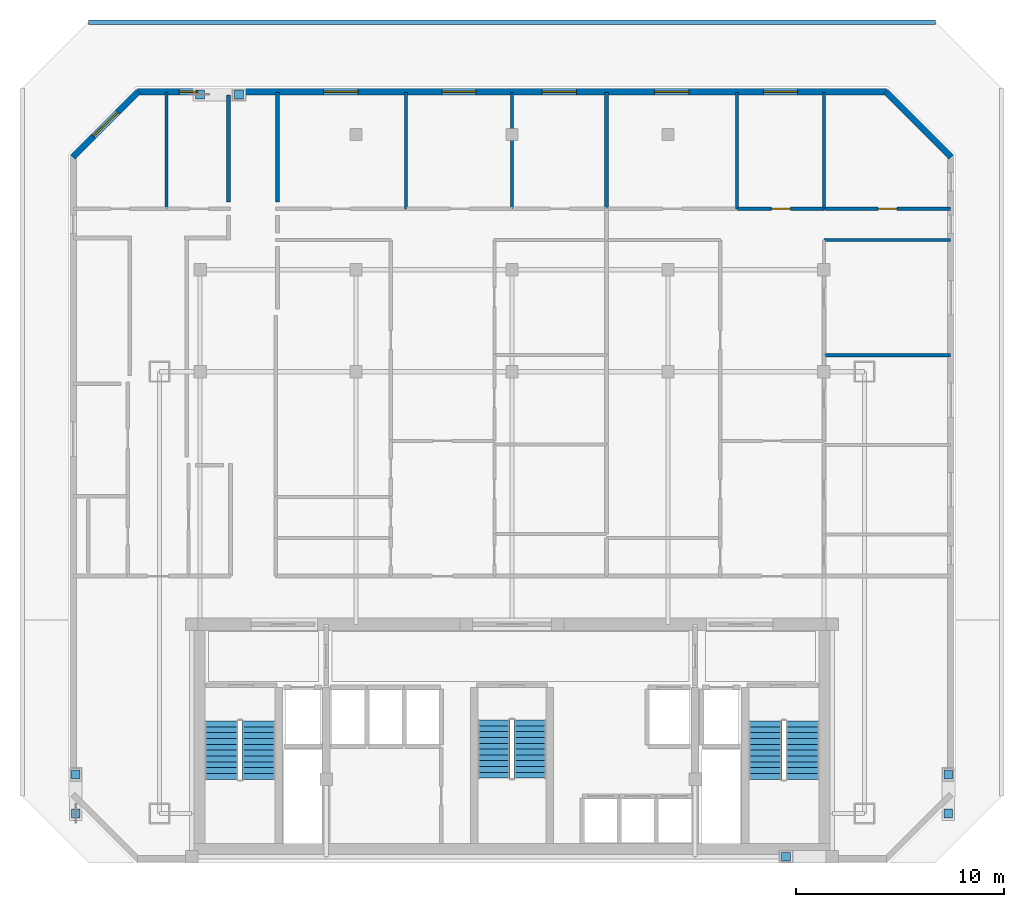
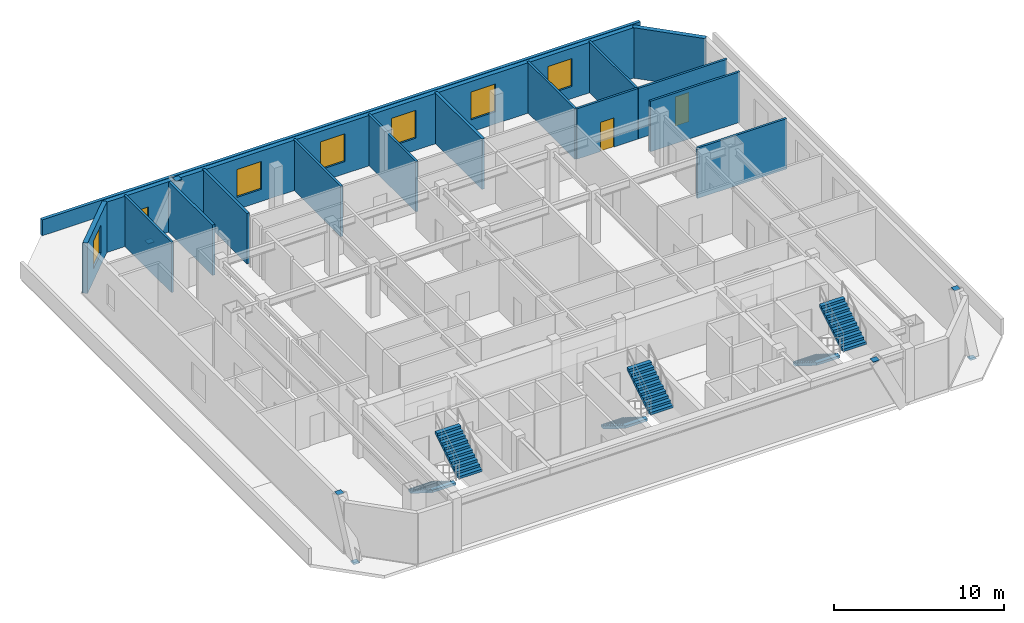
# One storey, part 6 of 7: 16 walls, 7 discrete accessories, 7 windows, 6 stair flights, 2 doors, 9 openings, 3 elements without a shape of their own.
"""IFC4 building model written with IfcOpenShell, lengths in metres."""

from ifc_helpers import new_model, si_unit, direction, frame, frame_2d, origin, origin_2d, place, context, subcontext, project, spatial, polyline, rectangle, outline, extrude, material, layer, layer_set, type_object, element, fill, aggregate, save


model = new_model("IFC4")

# Units and contexts
model_context = context("Model", 3, precision=1e-05, world=origin(), true_north=direction((0.0, 1.0)))
body_context = subcontext(model_context, "Body", "Model", "MODEL_VIEW")
ifc_project = project(units=[si_unit("LENGTHUNIT", "METRE"), si_unit("AREAUNIT", "SQUARE_METRE"), si_unit("VOLUMEUNIT", "CUBIC_METRE"), si_unit("PLANEANGLEUNIT", "RADIAN"), si_unit("MASSUNIT", "GRAM", prefix="KILO")], contexts=[model_context])

# Site, building, storey
site_placement = place(None, origin())
site = spatial("IfcSite", under=ifc_project, at=site_placement, CompositionType="ELEMENT")
building_placement = place(site_placement, origin())
building = spatial("IfcBuilding", under=site, at=building_placement, Name="Ventersveld Concourse Tower", CompositionType="ELEMENT")
storey_placement = place(building_placement, frame((0.0, 0.0, 219.550048828125)))
storey = spatial("IfcBuildingStorey", under=building, at=storey_placement, Name="L54", CompositionType="ELEMENT", Elevation=219.550048828125)

# Walls
ifc_material_1 = material(Name="Fire-rated autoclaved aerated masonry blockwork", Category="masonry")
ifc_layer_1 = layer(ifc_material_1, 0.179931640625)
ifc_layer_set_1 = layer_set([ifc_layer_1], Name="Fire-rated autoclaved aerated masonry blockwork")
wall_type_1 = type_object("IfcWallType", Name="WL-CORR-180", PredefinedType="PARTITIONING", material=ifc_layer_set_1)
wall_1_placement = place(storey_placement, frame((15.1201171875, 36.902099609375, 0.0), z_axis=(0.0, 0.0, 1.0), x_axis=(0.0, -1.0, 0.0)))
element("IfcWall", 1, at=wall_1_placement, inside=storey, type_object=wall_type_1, Name="L54 Room Enclosure Wall SP-L54-54NW-BR2", PredefinedType="PARTITIONING", context=body_context, shape_type="SweptSolid", body=[
    extrude(rectangle(XDim=5.147216796875, YDim=0.179931640625, at=frame_2d((2.57373046875, 0.0))), origin(), (0.0, 0.0, 1.0), 3.6298828125),
])
wall_2_placement = place(storey_placement, frame((17.47998046875, 31.7548828125, 0.0), z_axis=(0.0, 0.0, 1.0), x_axis=(0.0, 1.0, 0.0)))
element("IfcWall", 2, at=wall_2_placement, inside=storey, type_object=wall_type_1, Name="L54 Room Enclosure Wall SP-L54-54N1-BR1", PredefinedType="PARTITIONING", context=body_context, shape_type="SweptSolid", body=[
    extrude(rectangle(XDim=5.272705078125, YDim=0.179931640625, at=frame_2d((2.63623046875, 0.0))), origin(), (0.0, 0.0, 1.0), 3.6298828125),
])
ifc_layer_2 = layer(ifc_material_1, 0.199951171875)
ifc_layer_set_2 = layer_set([ifc_layer_2], Name="Fire-rated autoclaved aerated masonry blockwork")
wall_type_2 = type_object("IfcWallType", Name="WL-DEMISE-200", PredefinedType="PARTITIONING", material=ifc_layer_set_2)
wall_3_placement = place(storey_placement, frame((33.300048828125, 31.465087890625, 0.0), z_axis=(0.0, 0.0, 1.0), x_axis=(0.0, 1.0, 0.0)))
element("IfcWall", 3, at=wall_3_placement, inside=storey, type_object=wall_type_2, Name="L54 Interior Partition SP-L54-54N1-BR3-SP-L54-54N2-BR1", PredefinedType="PARTITIONING", context=body_context, shape_type="SweptSolid", body=[
    extrude(rectangle(XDim=5.5625, YDim=0.199951171875, at=frame_2d((2.78125, 0.0))), origin(), (0.0, 0.0, 1.0), 3.6298828125),
])
ifc_material_2 = material(Name="Autoclaved aerated masonry blockwork", Category="masonry")
ifc_layer_3 = layer(ifc_material_2, 0.14990234375)
ifc_layer_set_3 = layer_set([ifc_layer_3], Name="Autoclaved aerated masonry blockwork")
wall_type_3 = type_object("IfcWallType", Name="WL-INT-150", PredefinedType="PARTITIONING", material=ifc_layer_set_3)
for number, where, z_axis, x_axis, name in (
    (4, (12.135986328125, 31.425048828125, 0.0), (0.0, 0.0, 1.0), (0.0, 1.0, 0.0), "L54 Interior Partition SP-L54-54NW-BR1-SP-L54-54NW-BR2"),
    (5, (23.654052734375, 31.425048828125, 0.0), (0.0, 0.0, 1.0), (0.0, 1.0, 0.0), "L54 Interior Partition SP-L54-54N1-BR1-SP-L54-54N1-BR2"),
    (6, (28.75, 31.425048828125, 0.0), (0.0, 0.0, 1.0), (0.0, 1.0, 0.0), "L54 Interior Partition SP-L54-54N1-BR2-SP-L54-54N1-BR3"),
):
    element("IfcWall", number, at=place(storey_placement, frame(where, z_axis=z_axis, x_axis=x_axis)), inside=storey, type_object=wall_type_3, Name=name, PredefinedType="PARTITIONING", context=body_context, shape_type="SweptSolid", body=[
        extrude(rectangle(XDim=5.6025390625, YDim=0.14990234375, at=frame_2d((2.80126953125, 0.0))), origin(), (0.0, 0.0, 1.0), 3.6298828125),
    ])
wall_4_placement = place(storey_placement, frame((43.739990234375, 29.929931640625, 0.0), z_axis=(0.0, 0.0, 1.0), x_axis=(1.0, 0.0, 0.0)))
element("IfcWall", 7, at=wall_4_placement, inside=storey, type_object=wall_type_3, Name="L54 Interior Partition SP-L54-54N2-LIV-SP-L54-54N2-DENS2", PredefinedType="PARTITIONING", context=body_context, shape_type="SweptSolid", body=[
    extrude(rectangle(XDim=6.08740234375, YDim=0.14990234375, at=frame_2d((3.043701171875, 0.0))), origin(), (0.0, 0.0, 1.0), 3.6298828125),
])

# Wall, opening, door
wall_5_placement = place(storey_placement, frame((39.59912109375, 31.429931640625, 0.0), z_axis=(0.0, 0.0, 1.0), x_axis=(1.0, 0.0, 0.0)))
wall_5 = element("IfcWall", 8, at=wall_5_placement, inside=storey, type_object=wall_type_3, Name="L54 Interior Partition SP-L54-54N2-LIV-SP-L54-54N2-BR2", PredefinedType="PARTITIONING", context=body_context, shape_type="SweptSolid", body=[
    extrude(rectangle(XDim=4.15576171875, YDim=0.14990234375, at=frame_2d((2.077880859375, 0.0))), origin(), (0.0, 0.0, 1.0), 3.6298828125),
])
opening_1_placement = place(wall_5_placement, frame((1.617919921875, 0.0, 0.0)))
opening_1 = element("IfcOpeningElement", 9, at=opening_1_placement, cuts=wall_5, Name="Opening ID1", PredefinedType="OPENING", context=body_context, shape_type="SweptSolid", body=[
    extrude(rectangle(XDim=0.919921875, YDim=2.10009765625, at=frame_2d((0.4599609375, 1.050048828125))), frame((0.0, 0.0849609375, 0.0), z_axis=(0.0, -1.0, 0.0), x_axis=(1.0, 0.0, 0.0)), (0.0, 0.0, 1.0), 0.169921875),
])
ifc_material_3 = material(Name="Solid-core hardwood veneer timber", Category="wood")
door_type = type_object("IfcDoorType", Name="DR-ROOM-092", OperationType="NOTDEFINED", PredefinedType="DOOR", material=ifc_material_3)
door_1_placement = place(opening_1_placement, origin())
door_1 = element("IfcDoor", 10, at=door_1_placement, inside=storey, type_object=door_type, Name="L54 Interior Door SP-L54-54N2-LIV to SP-L54-54N2-BR2 (D-L54-2652)", OperationType="SINGLE_SWING_RIGHT", OverallHeight=2.10009765625, OverallWidth=0.919921875, PredefinedType="DOOR", context=body_context, shape_type="SweptSolid", body=[
    extrude(rectangle(XDim=0.919921875, YDim=2.10009765625, at=frame_2d((0.4599609375, 1.050048828125))), frame((0.0, 0.02490234375, 0.0), z_axis=(0.0, -1.0, 0.0), x_axis=(1.0, 0.0, 0.0)), (0.0, 0.0, 1.0), 0.050048828125),
])
fill(opening_1, door_1)

wall_6_placement = place(storey_placement, frame((43.784912109375, 31.429931640625, 0.0), z_axis=(0.0, 0.0, 1.0), x_axis=(1.0, 0.0, 0.0)))
wall_6 = element("IfcWall", 11, at=wall_6_placement, inside=storey, type_object=wall_type_3, Name="L54 Interior Partition SP-L54-54N2-LIV-SP-L54-54N2-BR3", PredefinedType="PARTITIONING", context=body_context, shape_type="SweptSolid", body=[
    extrude(rectangle(XDim=6.04248046875, YDim=0.14990234375, at=frame_2d((3.021240234375, 0.0))), origin(), (0.0, 0.0, 1.0), 3.6298828125),
])
opening_2_placement = place(wall_6_placement, frame((2.561279296875, 0.0, 0.0)))
opening_2 = element("IfcOpeningElement", 12, at=opening_2_placement, cuts=wall_6, Name="Opening ID1", PredefinedType="OPENING", context=body_context, shape_type="SweptSolid", body=[
    extrude(rectangle(XDim=0.919921875, YDim=2.10009765625, at=frame_2d((0.4599609375, 1.050048828125))), frame((0.0, 0.0849609375, 0.0), z_axis=(0.0, -1.0, 0.0), x_axis=(1.0, 0.0, 0.0)), (0.0, 0.0, 1.0), 0.169921875),
])
door_2_placement = place(opening_2_placement, origin())
door_2 = element("IfcDoor", 13, at=door_2_placement, inside=storey, type_object=door_type, Name="L54 Interior Door SP-L54-54N2-LIV to SP-L54-54N2-BR3 (D-L54-2653)", OperationType="SINGLE_SWING_LEFT", OverallHeight=2.10009765625, OverallWidth=0.919921875, PredefinedType="DOOR", context=body_context, shape_type="SweptSolid", body=[
    extrude(rectangle(XDim=0.919921875, YDim=2.10009765625, at=frame_2d((0.4599609375, 1.050048828125))), frame((0.0, 0.02490234375, 0.0), z_axis=(0.0, -1.0, 0.0), x_axis=(1.0, 0.0, 0.0)), (0.0, 0.0, 1.0), 0.050048828125),
])
fill(opening_2, door_2)

# Walls
wall_7_placement = place(storey_placement, frame((43.739990234375, 24.384521484375, 0.0), z_axis=(0.0, 0.0, 1.0), x_axis=(1.0, 0.0, 0.0)))
element("IfcWall", 14, at=wall_7_placement, inside=storey, type_object=wall_type_3, Name="L54 Interior Partition SP-L54-54N2-DENS-SP-L54-54N2-DENS2", PredefinedType="PARTITIONING", context=body_context, shape_type="SweptSolid", body=[
    extrude(rectangle(XDim=6.08740234375, YDim=0.14990234375, at=frame_2d((3.043701171875, 0.0))), origin(), (0.0, 0.0, 1.0), 3.6298828125),
])
for number, where, z_axis, x_axis, name in (
    (15, (39.56396484375, 31.425048828125, 0.0), (0.0, 0.0, 1.0), (0.0, 1.0, 0.0), "L54 Interior Partition SP-L54-54N2-BR1-SP-L54-54N2-BR2"),
    (16, (43.75, 31.425048828125, 0.0), (0.0, 0.0, 1.0), (0.0, 1.0, 0.0), "L54 Interior Partition SP-L54-54N2-BR2-SP-L54-54N2-BR3"),
):
    element("IfcWall", number, at=place(storey_placement, frame(where, z_axis=z_axis, x_axis=x_axis)), inside=storey, type_object=wall_type_3, Name=name, PredefinedType="PARTITIONING", context=body_context, shape_type="SweptSolid", body=[
        extrude(rectangle(XDim=5.6025390625, YDim=0.14990234375, at=frame_2d((2.80126953125, 0.0))), origin(), (0.0, 0.0, 1.0), 3.6298828125),
    ])
ifc_material_4 = material(Name="Precast concrete C45/55", Category="concrete")
ifc_layer_4 = layer(ifc_material_4, 0.2099609375)
ifc_layer_set_4 = layer_set([ifc_layer_4], Name="Precast concrete C45/55")
wall_type_4 = type_object("IfcWallType", Name="WL-PARA-210", PredefinedType="PARAPET", material=ifc_layer_set_4)
wall_8_placement = place(storey_placement, frame((49.10009765625, 40.39990234375, 0.0), z_axis=(0.0, 0.0, 1.0), x_axis=(-1.0, 0.0, 0.0)))
element("IfcWall", 17, at=wall_8_placement, inside=storey, type_object=wall_type_4, Name="L54 Setback Roof Parapet Wall 3", PredefinedType="PARAPET", context=body_context, shape_type="SweptSolid", body=[
    extrude(rectangle(XDim=40.7001953125, YDim=0.2099609375, at=frame_2d((20.35009765625, 0.0))), origin(), (0.0, 0.0, 1.0), 1.14990234375),
])
ifc_layer_5 = layer(ifc_material_4, 0.300048828125)
ifc_layer_set_5 = layer_set([ifc_layer_5], Name="Precast concrete C45/55")
wall_type_5 = type_object("IfcWallType", Name="WL-PREC-300", PredefinedType="SOLIDWALL", material=ifc_layer_set_5)
wall_9_placement = place(storey_placement, frame((49.865478515625, 33.922119140625, 0.0), z_axis=(0.0, 0.0, 1.0), x_axis=(-0.707079321262, 0.707134240044, 0.0)))
element("IfcWall", 18, at=wall_9_placement, inside=storey, type_object=wall_type_5, Name="L54 Highveld Precast Facade Wall E04", PredefinedType="SOLIDWALL", context=body_context, shape_type="SweptSolid", body=[
    extrude(rectangle(XDim=4.445556640625, YDim=0.300048828125, at=frame_2d((2.22265625, 0.0))), origin(), (0.0, 0.0, 1.0), 3.6298828125),
])

# Wall, openings, windows
wall_10_placement = place(storey_placement, frame((46.760009765625, 37.050048828125, 0.0), z_axis=(0.0, 0.0, 1.0), x_axis=(-1.0, 0.0, 0.0)))
wall_10 = element("IfcWall", 19, at=wall_10_placement, inside=storey, type_object=wall_type_5, Name="L54 Highveld Precast Facade Wall E05", PredefinedType="SOLIDWALL", context=body_context, shape_type="SweptSolid", body=[
    extrude(rectangle(XDim=36.02001953125, YDim=0.300048828125, at=frame_2d((18.010009765625, 0.0))), origin(), (0.0, 0.0, 1.0), 3.6298828125),
])
opening_3_placement = place(wall_10_placement, frame((33.110107421875, 0.0, 0.89990234375)))
opening_3 = element("IfcOpeningElement", 20, at=opening_3_placement, cuts=wall_10, Name="Opening W8", PredefinedType="OPENING", context=body_context, shape_type="SweptSolid", body=[
    extrude(rectangle(XDim=0.89990234375, YDim=1.39990234375, at=frame_2d((0.449951171875, 0.699951171875))), frame((0.0, 0.16015625, 0.0), z_axis=(0.0, -1.0, 0.0), x_axis=(1.0, 0.0, 0.0)), (0.0, 0.0, 1.0), 0.320068359375),
])
opening_4_placement = place(wall_10_placement, frame((25.4130859375, 0.0, 0.8798828125)))
opening_4 = element("IfcOpeningElement", 21, at=opening_4_placement, cuts=wall_10, Name="Opening W6", PredefinedType="OPENING", context=body_context, shape_type="SweptSolid", body=[
    extrude(rectangle(XDim=1.64990234375, YDim=2.0, at=frame_2d((0.824951171875, 1.0))), frame((0.0, 0.16015625, 0.0), z_axis=(0.0, -1.0, 0.0), x_axis=(1.0, 0.0, 0.0)), (0.0, 0.0, 1.0), 0.320068359375),
])
opening_5_placement = place(wall_10_placement, frame((19.73291015625, 0.0, 0.8798828125)))
opening_5 = element("IfcOpeningElement", 22, at=opening_5_placement, cuts=wall_10, Name="Opening W6", PredefinedType="OPENING", context=body_context, shape_type="SweptSolid", body=[
    extrude(rectangle(XDim=1.64990234375, YDim=2.0, at=frame_2d((0.824951171875, 1.0))), frame((0.0, 0.16015625, 0.0), z_axis=(0.0, -1.0, 0.0), x_axis=(1.0, 0.0, 0.0)), (0.0, 0.0, 1.0), 0.320068359375),
])
opening_6_placement = place(wall_10_placement, frame((14.909912109375, 0.0, 0.8798828125)))
opening_6 = element("IfcOpeningElement", 23, at=opening_6_placement, cuts=wall_10, Name="Opening W6", PredefinedType="OPENING", context=body_context, shape_type="SweptSolid", body=[
    extrude(rectangle(XDim=1.64990234375, YDim=2.0, at=frame_2d((0.824951171875, 1.0))), frame((0.0, 0.16015625, 0.0), z_axis=(0.0, -1.0, 0.0), x_axis=(1.0, 0.0, 0.0)), (0.0, 0.0, 1.0), 0.320068359375),
])
opening_7_placement = place(wall_10_placement, frame((9.5029296875, 0.0, 0.8798828125)))
opening_7 = element("IfcOpeningElement", 24, at=opening_7_placement, cuts=wall_10, Name="Opening W6", PredefinedType="OPENING", context=body_context, shape_type="SweptSolid", body=[
    extrude(rectangle(XDim=1.64990234375, YDim=2.0, at=frame_2d((0.824951171875, 1.0))), frame((0.0, 0.16015625, 0.0), z_axis=(0.0, -1.0, 0.0), x_axis=(1.0, 0.0, 0.0)), (0.0, 0.0, 1.0), 0.320068359375),
])
opening_8_placement = place(wall_10_placement, frame((4.278076171875, 0.0, 0.8798828125)))
opening_8 = element("IfcOpeningElement", 25, at=opening_8_placement, cuts=wall_10, Name="Opening W6", PredefinedType="OPENING", context=body_context, shape_type="SweptSolid", body=[
    extrude(rectangle(XDim=1.64990234375, YDim=2.0, at=frame_2d((0.824951171875, 1.0))), frame((0.0, 0.16015625, 0.0), z_axis=(0.0, -1.0, 0.0), x_axis=(1.0, 0.0, 0.0)), (0.0, 0.0, 1.0), 0.320068359375),
])
ifc_material_5 = material(Name="Tempered acoustic Low-E IGU", Category="glass")
window_type_1 = type_object("IfcWindowType", Name="WIN-090x140", PartitioningType="SINGLE_PANEL", PredefinedType="WINDOW", material=ifc_material_5)
window_1_placement = place(opening_3_placement, origin())
window_1 = element("IfcWindow", 26, at=window_1_placement, inside=storey, type_object=window_type_1, Name="L54 Punched Low-E Window W-0769", OverallHeight=1.39990234375, OverallWidth=0.89990234375, PartitioningType="SINGLE_PANEL", PredefinedType="WINDOW", context=body_context, shape_type="SweptSolid", body=[
    extrude(rectangle(XDim=0.89990234375, YDim=1.39990234375, at=frame_2d((0.449951171875, 0.699951171875))), frame((0.0, 0.030029296875, 0.0), z_axis=(0.0, -1.0, 0.0), x_axis=(1.0, 0.0, 0.0)), (0.0, 0.0, 1.0), 0.06005859375),
])
fill(opening_3, window_1)
window_type_2 = type_object("IfcWindowType", Name="WIN-165x200", PartitioningType="SINGLE_PANEL", PredefinedType="WINDOW", material=ifc_material_5)
window_2_placement = place(opening_4_placement, origin())
window_2 = element("IfcWindow", 27, at=window_2_placement, inside=storey, type_object=window_type_2, Name="L54 Punched Low-E Window W-0770", OverallHeight=2.0, OverallWidth=1.64990234375, PartitioningType="SINGLE_PANEL", PredefinedType="WINDOW", context=body_context, shape_type="SweptSolid", body=[
    extrude(rectangle(XDim=1.64990234375, YDim=2.0, at=frame_2d((0.824951171875, 1.0))), frame((0.0, 0.030029296875, 0.0), z_axis=(0.0, -1.0, 0.0), x_axis=(1.0, 0.0, 0.0)), (0.0, 0.0, 1.0), 0.06005859375),
])
fill(opening_4, window_2)
window_3_placement = place(opening_5_placement, origin())
window_3 = element("IfcWindow", 28, at=window_3_placement, inside=storey, type_object=window_type_2, Name="L54 Punched Low-E Window W-0771", OverallHeight=2.0, OverallWidth=1.64990234375, PartitioningType="SINGLE_PANEL", PredefinedType="WINDOW", context=body_context, shape_type="SweptSolid", body=[
    extrude(rectangle(XDim=1.64990234375, YDim=2.0, at=frame_2d((0.824951171875, 1.0))), frame((0.0, 0.030029296875, 0.0), z_axis=(0.0, -1.0, 0.0), x_axis=(1.0, 0.0, 0.0)), (0.0, 0.0, 1.0), 0.06005859375),
])
fill(opening_5, window_3)
window_4_placement = place(opening_6_placement, origin())
window_4 = element("IfcWindow", 29, at=window_4_placement, inside=storey, type_object=window_type_2, Name="L54 Punched Low-E Window W-0772", OverallHeight=2.0, OverallWidth=1.64990234375, PartitioningType="SINGLE_PANEL", PredefinedType="WINDOW", context=body_context, shape_type="SweptSolid", body=[
    extrude(rectangle(XDim=1.64990234375, YDim=2.0, at=frame_2d((0.824951171875, 1.0))), frame((0.0, 0.030029296875, 0.0), z_axis=(0.0, -1.0, 0.0), x_axis=(1.0, 0.0, 0.0)), (0.0, 0.0, 1.0), 0.06005859375),
])
fill(opening_6, window_4)
window_5_placement = place(opening_7_placement, origin())
window_5 = element("IfcWindow", 30, at=window_5_placement, inside=storey, type_object=window_type_2, Name="L54 Punched Low-E Window W-0778", OverallHeight=2.0, OverallWidth=1.64990234375, PartitioningType="SINGLE_PANEL", PredefinedType="WINDOW", context=body_context, shape_type="SweptSolid", body=[
    extrude(rectangle(XDim=1.64990234375, YDim=2.0, at=frame_2d((0.824951171875, 1.0))), frame((0.0, 0.030029296875, 0.0), z_axis=(0.0, -1.0, 0.0), x_axis=(1.0, 0.0, 0.0)), (0.0, 0.0, 1.0), 0.06005859375),
])
fill(opening_7, window_5)
window_6_placement = place(opening_8_placement, origin())
window_6 = element("IfcWindow", 31, at=window_6_placement, inside=storey, type_object=window_type_2, Name="L54 Punched Low-E Window W-0779", OverallHeight=2.0, OverallWidth=1.64990234375, PartitioningType="SINGLE_PANEL", PredefinedType="WINDOW", context=body_context, shape_type="SweptSolid", body=[
    extrude(rectangle(XDim=1.64990234375, YDim=2.0, at=frame_2d((0.824951171875, 1.0))), frame((0.0, 0.030029296875, 0.0), z_axis=(0.0, -1.0, 0.0), x_axis=(1.0, 0.0, 0.0)), (0.0, 0.0, 1.0), 0.06005859375),
])
fill(opening_8, window_6)

# Wall, opening, window
wall_11_placement = place(storey_placement, frame((10.77783203125, 37.065673828125, 0.0), z_axis=(0.0, 0.0, 1.0), x_axis=(-0.707079321262, -0.707134240044, 0.0)))
wall_11 = element("IfcWall", 32, at=wall_11_placement, inside=storey, type_object=wall_type_5, Name="L54 Highveld Precast Facade Wall E06", PredefinedType="SOLIDWALL", context=body_context, shape_type="SweptSolid", body=[
    extrude(rectangle(XDim=4.445556640625, YDim=0.300048828125, at=frame_2d((2.22265625, 0.0))), origin(), (0.0, 0.0, 1.0), 3.6298828125),
])
opening_9_placement = place(wall_11_placement, frame((1.397705078125, 0.0, 0.8798828125)))
opening_9 = element("IfcOpeningElement", 33, at=opening_9_placement, cuts=wall_11, Name="Opening W6", PredefinedType="OPENING", context=body_context, shape_type="SweptSolid", body=[
    extrude(rectangle(XDim=1.64990234375, YDim=2.0, at=frame_2d((0.824951171875, 1.0))), frame((0.0, 0.16015625, 0.0), z_axis=(0.0, -1.0, 0.0), x_axis=(1.0, 0.0, 0.0)), (0.0, 0.0, 1.0), 0.320068359375),
])
window_7_placement = place(opening_9_placement, origin())
window_7 = element("IfcWindow", 34, at=window_7_placement, inside=storey, type_object=window_type_2, Name="L54 Punched Low-E Window W-0768", OverallHeight=2.0, OverallWidth=1.64990234375, PartitioningType="SINGLE_PANEL", PredefinedType="WINDOW", context=body_context, shape_type="SweptSolid", body=[
    extrude(rectangle(XDim=1.64990234375, YDim=2.0, at=frame_2d((0.824951171875, 1.0))), frame((0.0, 0.030029296875, 0.0), z_axis=(0.0, -1.0, 0.0), x_axis=(1.0, 0.0, 0.0)), (0.0, 0.0, 1.0), 0.06005859375),
])
fill(opening_9, window_7)

# Stair, stair flights
ifc_material_6 = material(Name="Concrete C50/60", Category="concrete")
stair_type_1 = type_object("IfcStairType", Name="ST-DOG-155", PredefinedType="HALF_TURN_STAIR", material=ifc_material_6)
stair_1_placement = place(storey_placement, origin())
stair_1 = element("IfcStair", 35, at=stair_1_placement, inside=storey, type_object=stair_type_1, Name="L54 Protected Central Core Escape Stair ST-03", PredefinedType="HALF_TURN_STAIR")
stair_flight_type_1 = type_object("IfcStairFlightType", Name="STF-RC-155", PredefinedType="STRAIGHT", material=ifc_material_6)
stair_flight_1_placement = place(storey_placement, frame((27.875, 6.85009765625, 0.0), z_axis=(0.0, 0.0, 1.0), x_axis=(0.0, -1.0, 0.0)))
stair_flight_1 = element("IfcStairFlight", 36, at=stair_flight_1_placement, type_object=stair_flight_type_1, Name="ST-03 flight 1", NumberOfRisers=11, NumberOfTreads=10, PredefinedType="STRAIGHT", RiserHeight=0.175, TreadLength=0.28, context=body_context, shape_type="SweptSolid", body=[
    extrude(outline(polyline([(0.0, 0.0), (0.0, 0.175048828125), (0.280029296875, 0.175048828125), (0.280029296875, 0.35009765625), (0.56005859375, 0.35009765625), (0.56005859375, 0.52490234375), (0.840087890625, 0.52490234375), (0.840087890625, 0.699951171875), (1.1201171875, 0.699951171875), (1.1201171875, 0.875), (1.39990234375, 0.875), (1.39990234375, 1.050048828125), (1.679931640625, 1.050048828125), (1.679931640625, 1.22509765625), (1.9599609375, 1.22509765625), (1.9599609375, 1.39990234375), (2.239990234375, 1.39990234375), (2.239990234375, 1.574951171875), (2.52001953125, 1.574951171875), (2.52001953125, 1.75), (2.800048828125, 1.75), (2.800048828125, 1.925048828125), (2.800048828125, 1.5732421875), (0.28271484375, 0.0), (0.0, 0.0)])), frame((0.0, 0.77490234375, 0.0), z_axis=(0.0, -1.0, 0.0), x_axis=(1.0, 0.0, 0.0)), (0.0, 0.0, 1.0), 1.550048828125),
])
stair_flight_2_placement = place(storey_placement, frame((29.625, 4.050048828125, 1.925048828125), z_axis=(0.0, 0.0, 1.0), x_axis=(0.0, 1.0, 0.0)))
stair_flight_2 = element("IfcStairFlight", 37, at=stair_flight_2_placement, type_object=stair_flight_type_1, Name="ST-03 flight 2", NumberOfRisers=11, NumberOfTreads=10, PredefinedType="STRAIGHT", RiserHeight=0.175, TreadLength=0.28, context=body_context, shape_type="SweptSolid", body=[
    extrude(outline(polyline([(0.0, 0.0), (0.0, 0.175048828125), (0.280029296875, 0.175048828125), (0.280029296875, 0.35009765625), (0.56005859375, 0.35009765625), (0.56005859375, 0.52490234375), (0.840087890625, 0.52490234375), (0.840087890625, 0.699951171875), (1.1201171875, 0.699951171875), (1.1201171875, 0.875), (1.39990234375, 0.875), (1.39990234375, 1.050048828125), (1.679931640625, 1.050048828125), (1.679931640625, 1.22509765625), (1.9599609375, 1.22509765625), (1.9599609375, 1.39990234375), (2.239990234375, 1.39990234375), (2.239990234375, 1.574951171875), (2.52001953125, 1.574951171875), (2.52001953125, 1.75), (2.800048828125, 1.75), (2.800048828125, 1.925048828125), (2.800048828125, 1.5732421875), (0.28271484375, 0.0), (0.0, 0.0)])), frame((0.0, 0.77490234375, 0.0), z_axis=(0.0, -1.0, 0.0), x_axis=(1.0, 0.0, 0.0)), (0.0, 0.0, 1.0), 1.550048828125),
])
aggregate(stair_1, [stair_flight_1, stair_flight_2])

stair_type_2 = type_object("IfcStairType", Name="ST-DOG-160", PredefinedType="HALF_TURN_STAIR", material=ifc_material_6)
stair_2_placement = place(storey_placement, origin())
stair_2 = element("IfcStair", 38, at=stair_2_placement, inside=storey, type_object=stair_type_2, Name="L54 Protected Tower Escape Stair ST-01", PredefinedType="HALF_TURN_STAIR")
stair_flight_type_2 = type_object("IfcStairFlightType", Name="STF-RC-160", PredefinedType="STRAIGHT", material=ifc_material_6)
stair_flight_3_placement = place(storey_placement, frame((14.780029296875, 6.800048828125, 0.0), z_axis=(0.0, 0.0, 1.0), x_axis=(0.0, -1.0, 0.0)))
stair_flight_3 = element("IfcStairFlight", 39, at=stair_flight_3_placement, type_object=stair_flight_type_2, Name="ST-01 flight 1", NumberOfRisers=11, NumberOfTreads=10, PredefinedType="STRAIGHT", RiserHeight=0.175, TreadLength=0.28, context=body_context, shape_type="SweptSolid", body=[
    extrude(outline(polyline([(0.0, 0.0), (0.0, 0.175048828125), (0.280029296875, 0.175048828125), (0.280029296875, 0.35009765625), (0.56005859375, 0.35009765625), (0.56005859375, 0.52490234375), (0.840087890625, 0.52490234375), (0.840087890625, 0.699951171875), (1.1201171875, 0.699951171875), (1.1201171875, 0.875), (1.39990234375, 0.875), (1.39990234375, 1.050048828125), (1.679931640625, 1.050048828125), (1.679931640625, 1.22509765625), (1.9599609375, 1.22509765625), (1.9599609375, 1.39990234375), (2.239990234375, 1.39990234375), (2.239990234375, 1.574951171875), (2.52001953125, 1.574951171875), (2.52001953125, 1.75), (2.800048828125, 1.75), (2.800048828125, 1.925048828125), (2.800048828125, 1.5732421875), (0.28271484375, 0.0), (0.0, 0.0)])), frame((0.0, 0.800048828125, 0.0), z_axis=(0.0, -1.0, 0.0), x_axis=(1.0, 0.0, 0.0)), (0.0, 0.0, 1.0), 1.60009765625),
])
stair_flight_4_placement = place(storey_placement, frame((16.580078125, 4.0, 1.925048828125), z_axis=(0.0, 0.0, 1.0), x_axis=(0.0, 1.0, 0.0)))
stair_flight_4 = element("IfcStairFlight", 40, at=stair_flight_4_placement, type_object=stair_flight_type_2, Name="ST-01 flight 2", NumberOfRisers=11, NumberOfTreads=10, PredefinedType="STRAIGHT", RiserHeight=0.175, TreadLength=0.28, context=body_context, shape_type="SweptSolid", body=[
    extrude(outline(polyline([(0.0, 0.0), (0.0, 0.175048828125), (0.280029296875, 0.175048828125), (0.280029296875, 0.35009765625), (0.56005859375, 0.35009765625), (0.56005859375, 0.52490234375), (0.840087890625, 0.52490234375), (0.840087890625, 0.699951171875), (1.1201171875, 0.699951171875), (1.1201171875, 0.875), (1.39990234375, 0.875), (1.39990234375, 1.050048828125), (1.679931640625, 1.050048828125), (1.679931640625, 1.22509765625), (1.9599609375, 1.22509765625), (1.9599609375, 1.39990234375), (2.239990234375, 1.39990234375), (2.239990234375, 1.574951171875), (2.52001953125, 1.574951171875), (2.52001953125, 1.75), (2.800048828125, 1.75), (2.800048828125, 1.925048828125), (2.800048828125, 1.5732421875), (0.28271484375, 0.0), (0.0, 0.0)])), frame((0.0, 0.800048828125, 0.0), z_axis=(0.0, -1.0, 0.0), x_axis=(1.0, 0.0, 0.0)), (0.0, 0.0, 1.0), 1.60009765625),
])
aggregate(stair_2, [stair_flight_3, stair_flight_4])

stair_3_placement = place(storey_placement, origin())
stair_3 = element("IfcStair", 41, at=stair_3_placement, inside=storey, type_object=stair_type_2, Name="L54 Protected Tower Escape Stair ST-02", PredefinedType="HALF_TURN_STAIR")
stair_flight_5_placement = place(storey_placement, frame((40.919921875, 6.800048828125, 0.0), z_axis=(0.0, 0.0, 1.0), x_axis=(0.0, -1.0, 0.0)))
stair_flight_5 = element("IfcStairFlight", 42, at=stair_flight_5_placement, type_object=stair_flight_type_2, Name="ST-02 flight 1", NumberOfRisers=11, NumberOfTreads=10, PredefinedType="STRAIGHT", RiserHeight=0.175, TreadLength=0.28, context=body_context, shape_type="SweptSolid", body=[
    extrude(outline(polyline([(0.0, 0.0), (0.0, 0.175048828125), (0.280029296875, 0.175048828125), (0.280029296875, 0.35009765625), (0.56005859375, 0.35009765625), (0.56005859375, 0.52490234375), (0.840087890625, 0.52490234375), (0.840087890625, 0.699951171875), (1.1201171875, 0.699951171875), (1.1201171875, 0.875), (1.39990234375, 0.875), (1.39990234375, 1.050048828125), (1.679931640625, 1.050048828125), (1.679931640625, 1.22509765625), (1.9599609375, 1.22509765625), (1.9599609375, 1.39990234375), (2.239990234375, 1.39990234375), (2.239990234375, 1.574951171875), (2.52001953125, 1.574951171875), (2.52001953125, 1.75), (2.800048828125, 1.75), (2.800048828125, 1.925048828125), (2.800048828125, 1.5732421875), (0.28271484375, 0.0), (0.0, 0.0)])), frame((0.0, 0.800048828125, 0.0), z_axis=(0.0, -1.0, 0.0), x_axis=(1.0, 0.0, 0.0)), (0.0, 0.0, 1.0), 1.60009765625),
])
stair_flight_6_placement = place(storey_placement, frame((42.719970703125, 4.0, 1.925048828125), z_axis=(0.0, 0.0, 1.0), x_axis=(0.0, 1.0, 0.0)))
stair_flight_6 = element("IfcStairFlight", 43, at=stair_flight_6_placement, type_object=stair_flight_type_2, Name="ST-02 flight 2", NumberOfRisers=11, NumberOfTreads=10, PredefinedType="STRAIGHT", RiserHeight=0.175, TreadLength=0.28, context=body_context, shape_type="SweptSolid", body=[
    extrude(outline(polyline([(0.0, 0.0), (0.0, 0.175048828125), (0.280029296875, 0.175048828125), (0.280029296875, 0.35009765625), (0.56005859375, 0.35009765625), (0.56005859375, 0.52490234375), (0.840087890625, 0.52490234375), (0.840087890625, 0.699951171875), (1.1201171875, 0.699951171875), (1.1201171875, 0.875), (1.39990234375, 0.875), (1.39990234375, 1.050048828125), (1.679931640625, 1.050048828125), (1.679931640625, 1.22509765625), (1.9599609375, 1.22509765625), (1.9599609375, 1.39990234375), (2.239990234375, 1.39990234375), (2.239990234375, 1.574951171875), (2.52001953125, 1.574951171875), (2.52001953125, 1.75), (2.800048828125, 1.75), (2.800048828125, 1.925048828125), (2.800048828125, 1.5732421875), (0.28271484375, 0.0), (0.0, 0.0)])), frame((0.0, 0.800048828125, 0.0), z_axis=(0.0, -1.0, 0.0), x_axis=(1.0, 0.0, 0.0)), (0.0, 0.0, 1.0), 1.60009765625),
])
aggregate(stair_3, [stair_flight_5, stair_flight_6])

# Discrete accessories
ifc_material_7 = material(Name="Structural steel S355J2", Category="steel")
discrete_accessory_type = type_object("IfcDiscreteAccessoryType", Name="CONN-BRACE-ECP1", PredefinedType="BRACKET", material=ifc_material_7)
for number, where, z_axis, x_axis, name in (
    (44, (13.75, 36.919921875, -0.239990234375), (0.0, 0.0, 1.0), (1.0, 0.0, 0.0), "L54 Steel Brace End Connection Plate ECP1-0401"),
    (45, (15.625, 36.919921875, 3.60986328125), (0.0, 0.0, 1.0), (1.0, 0.0, 0.0), "L54 Steel Brace End Connection Plate ECP1-0402"),
    (46, (41.925048828125, 0.280029296875, 3.60986328125), (0.0, 0.0, 1.0), (1.0, 0.0, 0.0), "L54 Steel Brace End Connection Plate ECP1-0406"),
    (47, (7.780029296875, 2.35009765625, -0.239990234375), (0.0, 0.0, 1.0), (1.0, 0.0, 0.0), "L54 Steel Brace End Connection Plate ECP1-0410"),
    (48, (7.780029296875, 4.22509765625, 3.60986328125), (0.0, 0.0, 1.0), (1.0, 0.0, 0.0), "L54 Steel Brace End Connection Plate ECP1-0411"),
    (49, (49.719970703125, 2.35009765625, -0.239990234375), (0.0, 0.0, 1.0), (1.0, 0.0, 0.0), "L54 Steel Brace End Connection Plate ECP1-0415"),
    (50, (49.719970703125, 4.22509765625, 3.60986328125), (0.0, 0.0, 1.0), (1.0, 0.0, 0.0), "L54 Steel Brace End Connection Plate ECP1-0416"),
):
    element("IfcDiscreteAccessory", number, at=place(storey_placement, frame(where, z_axis=z_axis, x_axis=x_axis)), inside=storey, type_object=discrete_accessory_type, Name=name, PredefinedType="BRACKET", context=body_context, shape_type="SweptSolid", body=[
        extrude(rectangle(XDim=0.419921875, YDim=0.419921875, at=origin_2d()), origin(), (0.0, 0.0, 1.0), 0.0400390625),
    ])

save(model, "model.ifc")
